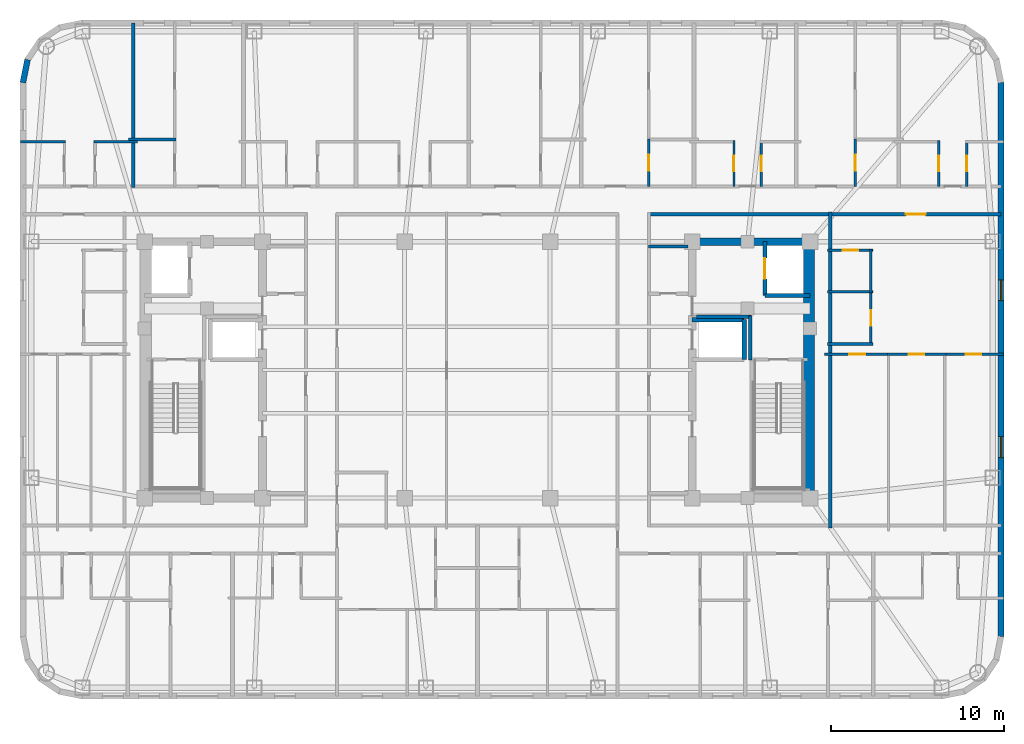
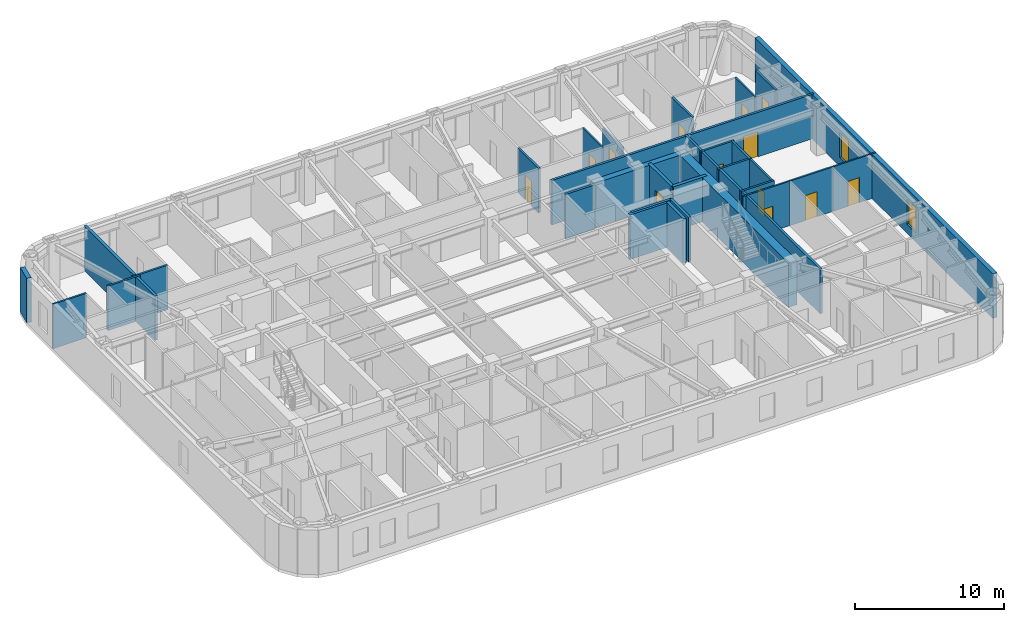
# One storey, part 7 of 11: 31 walls, 13 doors, 2 windows, 15 openings.
"""IFC4 building model written with IfcOpenShell, lengths in metres."""

from ifc_helpers import new_model, si_unit, direction, frame, frame_2d, origin, place, context, subcontext, project, spatial, rectangle, extrude, material, layer, layer_set, type_object, element, fill, save


model = new_model("IFC4")

# Units and contexts
model_context = context("Model", 3, precision=1e-05, world=origin(), true_north=direction((0.0, 1.0)))
body_context = subcontext(model_context, "Body", "Model", "MODEL_VIEW")
ifc_project = project(units=[si_unit("LENGTHUNIT", "METRE"), si_unit("AREAUNIT", "SQUARE_METRE"), si_unit("VOLUMEUNIT", "CUBIC_METRE"), si_unit("PLANEANGLEUNIT", "RADIAN"), si_unit("MASSUNIT", "GRAM", prefix="KILO")], contexts=[model_context])

# Site, building, storey
site_placement = place(None, origin())
site = spatial("IfcSite", under=ifc_project, at=site_placement, CompositionType="ELEMENT")
building_placement = place(site_placement, origin())
building = spatial("IfcBuilding", under=site, at=building_placement, Name="Voryun Gate Residences", CompositionType="ELEMENT")
storey_placement = place(building_placement, frame((0.0, 0.0, 247.0)))
storey = spatial("IfcBuildingStorey", under=building, at=storey_placement, Name="L61", CompositionType="ELEMENT", Elevation=247.0)

# Walls
ifc_material_1 = material(Name="Concrete C50/60", Category="concrete")
ifc_layer_1 = layer(ifc_material_1, 0.449951171875, Name="CW_CORE_450")
ifc_layer_set_1 = layer_set([ifc_layer_1], Name="Concrete C50/60")
wall_type_1 = type_object("IfcWallType", Name="CW_CORE_450", PredefinedType="SHEAR", material=ifc_layer_set_1)
wall_1_placement = place(storey_placement, frame((12.175048828125, 7.39990234375, 0.0), z_axis=(0.0, 0.0, 1.0), x_axis=(1.0, 0.0, 0.0)))
element("IfcWall", 1, at=wall_1_placement, inside=storey, type_object=wall_type_1, Name="L61 Core shear wall CW-L61-EN", PredefinedType="SHEAR", context=body_context, shape_type="SweptSolid", body=[
    extrude(rectangle(XDim=7.25, YDim=0.449951171875, at=frame_2d((3.625, 0.0))), origin(), (0.0, 0.0, 1.0), 3.64990234375),
])
ifc_material_2 = material(Name="Concrete C60/75", Category="concrete")
ifc_layer_2 = layer(ifc_material_2, 0.64990234375, Name="CW_CORE_650")
ifc_layer_set_2 = layer_set([ifc_layer_2], Name="Concrete C60/75")
wall_type_2 = type_object("IfcWallType", Name="CW_CORE_650", PredefinedType="SHEAR", material=ifc_layer_set_2)
wall_2_placement = place(storey_placement, frame((19.14501953125, -7.39990234375, 0.0), z_axis=(0.0, 0.0, 1.0), x_axis=(0.0, 1.0, 0.0)))
element("IfcWall", 2, at=wall_2_placement, inside=storey, type_object=wall_type_2, Name="L61 Core shear wall CW-L61-EE", PredefinedType="SHEAR", context=body_context, shape_type="SweptSolid", body=[
    extrude(rectangle(XDim=14.7998046875, YDim=0.64990234375, at=frame_2d((7.39990234375, 0.0))), origin(), (0.0, 0.0, 1.0), 3.64990234375),
])
ifc_material_3 = material(Name="Gypsum acoustic fireboard")
ifc_layer_3 = layer(ifc_material_3, 0.179931640625, Name="W_CORR_RATED_180")
ifc_layer_set_3 = layer_set([ifc_layer_3], Name="Gypsum acoustic fireboard")
wall_type_3 = type_object("IfcWallType", Name="W_CORR_RATED_180", PredefinedType="PARTITIONING", material=ifc_layer_set_3)
wall_3_placement = place(storey_placement, frame((9.8798828125, 7.1201171875, 0.0), z_axis=(0.0, 0.0, 1.0), x_axis=(1.0, 0.0, 0.0)))
element("IfcWall", 3, at=wall_3_placement, inside=storey, type_object=wall_type_3, Name="Partition wall WP-L61-PLBN-E", PredefinedType="PARTITIONING", context=body_context, shape_type="SweptSolid", body=[
    extrude(rectangle(XDim=2.27001953125, YDim=0.179931640625, at=frame_2d((1.135009765625, 0.0))), origin(), (0.0, 0.0, 1.0), 3.64990234375),
])

# Wall, opening, door
wall_4_placement = place(storey_placement, frame((9.8798828125, 8.989990234375, 0.0), z_axis=(0.0, 0.0, 1.0), x_axis=(1.0, 0.0, 0.0)))
wall_4 = element("IfcWall", 4, at=wall_4_placement, inside=storey, type_object=wall_type_3, Name="Partition wall WP-L61-CWING-EN", PredefinedType="PARTITIONING", context=body_context, shape_type="SweptSolid", body=[
    extrude(rectangle(XDim=20.35009765625, YDim=0.179931640625, at=frame_2d((10.175048828125, 0.0))), origin(), (0.0, 0.0, 1.0), 3.64990234375),
])
opening_1_placement = place(wall_4_placement, frame((14.850341796875, 0.0, 0.0)))
opening_1 = element("IfcOpeningElement", 5, at=opening_1_placement, cuts=wall_4, Name="Opening D-UNIT-1", PredefinedType="OPENING", context=body_context, shape_type="SweptSolid", body=[
    extrude(rectangle(XDim=1.14990234375, YDim=2.050048828125, at=frame_2d((0.574951171875, 1.02490234375))), frame((0.0, 0.099853515625, 0.0), z_axis=(0.0, -1.0, 0.0), x_axis=(1.0, 0.0, 0.0)), (0.0, 0.0, 1.0), 0.199951171875),
])
ifc_material_4 = material(Name="Armoured timber-clad fire door", Category="wood")
door_type_1 = type_object("IfcDoorType", Name="DR_UNIT_ENTRY_1150", OperationType="NOTDEFINED", PredefinedType="DOOR", material=ifc_material_4)
door_1_placement = place(opening_1_placement, origin())
door_1 = element("IfcDoor", 6, at=door_1_placement, inside=storey, type_object=door_type_1, Name="Door DR-L61-EE1N", OperationType="SINGLE_SWING_LEFT", OverallHeight=2.050048828125, OverallWidth=1.14990234375, PredefinedType="DOOR", context=body_context, shape_type="SweptSolid", body=[
    extrude(rectangle(XDim=1.14990234375, YDim=2.050048828125, at=frame_2d((0.574951171875, 1.02490234375))), frame((0.0, 0.02490234375, 0.0), z_axis=(0.0, -1.0, 0.0), x_axis=(1.0, 0.0, 0.0)), (0.0, 0.0, 1.0), 0.050048828125),
])
fill(opening_1, door_1)

# Walls
wall_5_placement = place(storey_placement, frame((20.3701171875, -9.110107421875, 0.0), z_axis=(0.0, 0.0, 1.0), x_axis=(0.0, 1.0, 0.0)))
element("IfcWall", 7, at=wall_5_placement, inside=storey, type_object=wall_type_3, Name="Partition wall WP-L61-ECOR", PredefinedType="PARTITIONING", context=body_context, shape_type="SweptSolid", body=[
    extrude(rectangle(XDim=18.22021484375, YDim=0.179931640625, at=frame_2d((9.110107421875, 0.0))), origin(), (0.0, 0.0, 1.0), 3.64990234375),
])
ifc_material_5 = material(Name="Charcoal terracotta masonry", Category="masonry")
ifc_layer_4 = layer(ifc_material_5, 0.340087890625, Name="W_EXT_TERRACOTTA_340")
ifc_layer_set_4 = layer_set([ifc_layer_4], Name="Charcoal terracotta masonry")
wall_type_4 = type_object("IfcWallType", Name="W_EXT_TERRACOTTA_340", PredefinedType="ELEMENTEDWALL", material=ifc_layer_set_4)
wall_6_placement = place(storey_placement, frame((-26.22998046875, 16.583251953125, 0.0), z_axis=(0.0, 0.0, 1.0), x_axis=(0.195075878998, 0.980788153188, 0.0)))
element("IfcWall", 8, at=wall_6_placement, inside=storey, type_object=wall_type_4, Name="Exterior wall WEXT-L61-07", PredefinedType="ELEMENTEDWALL", context=body_context, shape_type="SweptSolid", body=[
    extrude(rectangle(XDim=1.354248046875, YDim=0.340087890625, at=frame_2d((0.67724609375, 0.0))), origin(), (0.0, 0.0, 1.0), 3.64990234375),
])

# Wall, openings, windows
wall_7_placement = place(storey_placement, frame((30.22998046875, 16.583251953125, 0.0), z_axis=(0.0, 0.0, 1.0), x_axis=(0.0, -1.0, 0.0)))
wall_7 = element("IfcWall", 9, at=wall_7_placement, inside=storey, type_object=wall_type_4, Name="Exterior wall WEXT-L61-16", PredefinedType="ELEMENTEDWALL", context=body_context, shape_type="SweptSolid", body=[
    extrude(rectangle(XDim=31.966552734375, YDim=0.340087890625, at=frame_2d((15.9833984375, 0.0))), origin(), (0.0, 0.0, 1.0), 3.64990234375),
])
opening_2_placement = place(wall_7_placement, frame((11.38818359375, 0.0, 0.75)))
opening_2 = element("IfcOpeningElement", 10, at=opening_2_placement, cuts=wall_7, Name="Opening WN6", PredefinedType="OPENING", context=body_context, shape_type="SweptSolid", body=[
    extrude(rectangle(XDim=1.199951171875, YDim=2.050048828125, at=frame_2d((0.60009765625, 1.02490234375))), frame((0.0, 0.179931640625, 0.0), z_axis=(0.0, -1.0, 0.0), x_axis=(1.0, 0.0, 0.0)), (0.0, 0.0, 1.0), 0.360107421875),
])
opening_3_placement = place(wall_7_placement, frame((20.438232421875, 0.0, 0.75)))
opening_3 = element("IfcOpeningElement", 11, at=opening_3_placement, cuts=wall_7, Name="Opening WN6", PredefinedType="OPENING", context=body_context, shape_type="SweptSolid", body=[
    extrude(rectangle(XDim=1.199951171875, YDim=2.050048828125, at=frame_2d((0.60009765625, 1.02490234375))), frame((0.0, 0.179931640625, 0.0), z_axis=(0.0, -1.0, 0.0), x_axis=(1.0, 0.0, 0.0)), (0.0, 0.0, 1.0), 0.360107421875),
])
ifc_material_6 = material(Name="Laminated low-E glass", Category="glass")
window_type = type_object("IfcWindowType", Name="WN_POD_SLOT_1200", PartitioningType="SINGLE_PANEL", PredefinedType="WINDOW", material=ifc_material_6)
window_1_placement = place(opening_2_placement, origin())
window_1 = element("IfcWindow", 12, at=window_1_placement, inside=storey, type_object=window_type, Name="Window WN-L61-DWFIX-24", OverallHeight=2.050048828125, OverallWidth=1.199951171875, PartitioningType="SINGLE_PANEL", PredefinedType="WINDOW", context=body_context, shape_type="SweptSolid", body=[
    extrude(rectangle(XDim=1.199951171875, YDim=2.050048828125, at=frame_2d((0.60009765625, 1.02490234375))), frame((0.0, 0.030029296875, 0.0), z_axis=(0.0, -1.0, 0.0), x_axis=(1.0, 0.0, 0.0)), (0.0, 0.0, 1.0), 0.06005859375),
])
fill(opening_2, window_1)
window_2_placement = place(opening_3_placement, origin())
window_2 = element("IfcWindow", 13, at=window_2_placement, inside=storey, type_object=window_type, Name="Window WN-L61-DWFIX-25", OverallHeight=2.050048828125, OverallWidth=1.199951171875, PartitioningType="SINGLE_PANEL", PredefinedType="WINDOW", context=body_context, shape_type="SweptSolid", body=[
    extrude(rectangle(XDim=1.199951171875, YDim=2.050048828125, at=frame_2d((0.60009765625, 1.02490234375))), frame((0.0, 0.030029296875, 0.0), z_axis=(0.0, -1.0, 0.0), x_axis=(1.0, 0.0, 0.0)), (0.0, 0.0, 1.0), 0.06005859375),
])
fill(opening_3, window_2)

# Walls
ifc_material_7 = material(Name="Concrete C40/50", Category="concrete")
ifc_layer_5 = layer(ifc_material_7, 0.199951171875, Name="W_FF_LOBBY_200")
ifc_layer_set_5 = layer_set([ifc_layer_5], Name="Concrete C40/50")
wall_type_5 = type_object("IfcWallType", Name="W_FF_LOBBY_200", PredefinedType="PARTITIONING", material=ifc_layer_set_5)
wall_8_placement = place(storey_placement, frame((15.760009765625, 0.580078125, 0.0), z_axis=(0.0, 0.0, 1.0), x_axis=(0.0, 1.0, 0.0)))
element("IfcWall", 14, at=wall_8_placement, inside=storey, type_object=wall_type_5, Name="Partition wall WP-L61-FFP0-E", PredefinedType="PARTITIONING", context=body_context, shape_type="SweptSolid", body=[
    extrude(rectangle(XDim=2.52001953125, YDim=0.199951171875, at=frame_2d((1.260009765625, 0.0))), origin(), (0.0, 0.0, 1.0), 3.64990234375),
])
wall_9_placement = place(storey_placement, frame((12.659912109375, 3.06005859375, 0.0), z_axis=(0.0, 0.0, 1.0), x_axis=(1.0, 0.0, 0.0)))
element("IfcWall", 15, at=wall_9_placement, inside=storey, type_object=wall_type_5, Name="Partition wall WP-L61-FFPS-E", PredefinedType="PARTITIONING", context=body_context, shape_type="SweptSolid", body=[
    extrude(rectangle(XDim=3.16015625, YDim=0.199951171875, at=frame_2d((1.580078125, 0.0))), origin(), (0.0, 0.0, 1.0), 3.64990234375),
])
ifc_material_8 = material(Name="Concrete C40/50", Category="concrete")
ifc_layer_6 = layer(ifc_material_8, 0.219970703125, Name="W_PARTY_ACOUSTIC_220")
ifc_layer_set_6 = layer_set([ifc_layer_6], Name="Concrete C40/50")
wall_type_6 = type_object("IfcWallType", Name="W_PARTY_ACOUSTIC_220", PredefinedType="PARTITIONING", material=ifc_layer_set_6)
wall_10_placement = place(storey_placement, frame((-19.867919921875, 10.52001953125, 0.0), z_axis=(0.0, 0.0, 1.0), x_axis=(0.0, 1.0, 0.0)))
element("IfcWall", 16, at=wall_10_placement, inside=storey, type_object=wall_type_6, Name="Partition wall WP-L61-NPTY-1", PredefinedType="PARTITIONING", context=body_context, shape_type="SweptSolid", body=[
    extrude(rectangle(XDim=9.510009765625, YDim=0.219970703125, at=frame_2d((4.7548828125, 0.0))), origin(), (0.0, 0.0, 1.0), 3.64990234375),
])
ifc_material_9 = material(Name="Concrete C50/60", Category="concrete")
ifc_layer_7 = layer(ifc_material_9, 0.25, Name="W_SHAFT_RC250")
ifc_layer_set_7 = layer_set([ifc_layer_7], Name="Concrete C50/60")
wall_type_7 = type_object("IfcWallType", Name="W_SHAFT_RC250", PredefinedType="SOLIDWALL", material=ifc_layer_set_7)
wall_11_placement = place(storey_placement, frame((16.60009765625, 4.300048828125, 0.0), z_axis=(0.0, 0.0, 1.0), x_axis=(1.0, 0.0, 0.0)))
element("IfcWall", 17, at=wall_11_placement, inside=storey, type_object=wall_type_7, Name="Lift shaft wall WSH-L61-EL-FF-E1-S", PredefinedType="SOLIDWALL", context=body_context, shape_type="SweptSolid", body=[
    extrude(rectangle(XDim=2.599853515625, YDim=0.25, at=frame_2d((1.2998046875, 0.0))), origin(), (0.0, 0.0, 1.0), 3.64990234375),
])

# Wall, opening, door
wall_12_placement = place(storey_placement, frame((16.60009765625, 7.39990234375, 0.0), z_axis=(0.0, 0.0, 1.0), x_axis=(0.0, -1.0, 0.0)))
wall_12 = element("IfcWall", 18, at=wall_12_placement, inside=storey, type_object=wall_type_7, Name="Lift shaft wall WSH-L61-EL-FF-E1-W", PredefinedType="SOLIDWALL", context=body_context, shape_type="SweptSolid", body=[
    extrude(rectangle(XDim=3.099853515625, YDim=0.25, at=frame_2d((1.5498046875, 0.0))), origin(), (0.0, 0.0, 1.0), 3.64990234375),
])
opening_4_placement = place(wall_12_placement, frame((0.949951171875, 0.0, 0.0)))
opening_4 = element("IfcOpeningElement", 19, at=opening_4_placement, cuts=wall_12, Name="Opening LD1", PredefinedType="OPENING", context=body_context, shape_type="SweptSolid", body=[
    extrude(rectangle(XDim=1.199951171875, YDim=2.050048828125, at=frame_2d((0.60009765625, 1.02490234375))), frame((0.0, 0.135009765625, 0.0), z_axis=(0.0, -1.0, 0.0), x_axis=(1.0, 0.0, 0.0)), (0.0, 0.0, 1.0), 0.27001953125),
])
ifc_material_10 = material(Name="Anodised aluminium", Category="aluminium")
door_type_2 = type_object("IfcDoorType", Name="DR_LD_FF_1200", OperationType="NOTDEFINED", PredefinedType="DOOR", material=ifc_material_10)
door_2_placement = place(opening_4_placement, origin())
door_2 = element("IfcDoor", 20, at=door_2_placement, inside=storey, type_object=door_type_2, Name="Lift EL-FF-E1 sliding landing door L61", OperationType="SLIDING_TO_LEFT", OverallHeight=2.050048828125, OverallWidth=1.199951171875, PredefinedType="DOOR", context=body_context, shape_type="SweptSolid", body=[
    extrude(rectangle(XDim=1.199951171875, YDim=2.050048828125, at=frame_2d((0.60009765625, 1.02490234375))), frame((0.0, 0.02490234375, 0.0), z_axis=(0.0, -1.0, 0.0), x_axis=(1.0, 0.0, 0.0)), (0.0, 0.0, 1.0), 0.050048828125),
])
fill(opening_4, door_2)

# Walls
wall_13_placement = place(storey_placement, frame((15.39990234375, 0.60009765625, 0.0), z_axis=(0.0, 0.0, 1.0), x_axis=(0.0, 1.0, 0.0)))
element("IfcWall", 21, at=wall_13_placement, inside=storey, type_object=wall_type_7, Name="Lift shaft wall WSH-L61-EL-P8-E", PredefinedType="SOLIDWALL", context=body_context, shape_type="SweptSolid", body=[
    extrude(rectangle(XDim=2.2998046875, YDim=0.25, at=frame_2d((1.14990234375, 0.0))), origin(), (0.0, 0.0, 1.0), 3.64990234375),
])
wall_14_placement = place(storey_placement, frame((15.39990234375, 2.89990234375, 0.0), z_axis=(0.0, 0.0, 1.0), x_axis=(-1.0, 0.0, 0.0)))
element("IfcWall", 22, at=wall_14_placement, inside=storey, type_object=wall_type_7, Name="Lift shaft wall WSH-L61-EL-P8-N", PredefinedType="SOLIDWALL", context=body_context, shape_type="SweptSolid", body=[
    extrude(rectangle(XDim=3.0, YDim=0.25, at=frame_2d((1.5, 0.0))), origin(), (0.0, 0.0, 1.0), 3.64990234375),
])
ifc_material_11 = material(Name="Gypsum acoustic partition")
ifc_layer_8 = layer(ifc_material_11, 0.125, Name="W_UNIT_PART_125")
ifc_layer_set_8 = layer_set([ifc_layer_8], Name="Gypsum acoustic partition")
wall_type_8 = type_object("IfcWallType", Name="W_UNIT_PART_125", PredefinedType="PARTITIONING", material=ifc_layer_set_8)
wall_15_placement = place(storey_placement, frame((-26.3798828125, 13.169921875, 0.0), z_axis=(0.0, 0.0, 1.0), x_axis=(1.0, 0.0, 0.0)))
element("IfcWall", 23, at=wall_15_placement, inside=storey, type_object=wall_type_8, Name="Partition wall WP-L61-N1-CHK", PredefinedType="PARTITIONING", context=body_context, shape_type="SweptSolid", body=[
    extrude(rectangle(XDim=2.600830078125, YDim=0.125, at=frame_2d((1.30029296875, 0.0))), origin(), (0.0, 0.0, 1.0), 3.64990234375),
])

# Wall, opening, door
wall_16_placement = place(storey_placement, frame((14.81005859375, 10.580078125, 0.0), z_axis=(0.0, 0.0, 1.0), x_axis=(0.0, 1.0, 0.0)))
wall_16 = element("IfcWall", 24, at=wall_16_placement, inside=storey, type_object=wall_type_8, Name="Partition wall WP-L61-N7-CVK", PredefinedType="PARTITIONING", context=body_context, shape_type="SweptSolid", body=[
    extrude(rectangle(XDim=2.64990234375, YDim=0.125, at=frame_2d((1.324951171875, 0.0))), origin(), (0.0, 0.0, 1.0), 3.64990234375),
])
opening_5_placement = place(wall_16_placement, frame((0.875, 0.0, 0.0)))
opening_5 = element("IfcOpeningElement", 25, at=opening_5_placement, cuts=wall_16, Name="Opening D-INT-2", PredefinedType="OPENING", context=body_context, shape_type="SweptSolid", body=[
    extrude(rectangle(XDim=0.89990234375, YDim=2.050048828125, at=frame_2d((0.449951171875, 1.02490234375))), frame((0.0, 0.072509765625, 0.0), z_axis=(0.0, -1.0, 0.0), x_axis=(1.0, 0.0, 0.0)), (0.0, 0.0, 1.0), 0.14501953125),
])
ifc_material_12 = material(Name="Architectural oak veneer")
door_type_3 = type_object("IfcDoorType", Name="DR_INT_BATH_900", OperationType="NOTDEFINED", PredefinedType="DOOR", material=ifc_material_12)
door_3_placement = place(opening_5_placement, origin())
door_3 = element("IfcDoor", 26, at=door_3_placement, inside=storey, type_object=door_type_3, Name="Door DR-L61-N7-DK", OperationType="SINGLE_SWING_LEFT", OverallHeight=2.050048828125, OverallWidth=0.89990234375, PredefinedType="DOOR", context=body_context, shape_type="SweptSolid", body=[
    extrude(rectangle(XDim=0.89990234375, YDim=2.050048828125, at=frame_2d((0.449951171875, 1.02490234375))), frame((0.0, 0.02490234375, 0.0), z_axis=(0.0, -1.0, 0.0), x_axis=(1.0, 0.0, 0.0)), (0.0, 0.0, 1.0), 0.050048828125),
])
fill(opening_5, door_3)

wall_17_placement = place(storey_placement, frame((26.635009765625, 10.580078125, 0.0), z_axis=(0.0, 0.0, 1.0), x_axis=(0.0, 1.0, 0.0)))
wall_17 = element("IfcWall", 27, at=wall_17_placement, inside=storey, type_object=wall_type_8, Name="Partition wall WP-L61-N9-CVK", PredefinedType="PARTITIONING", context=body_context, shape_type="SweptSolid", body=[
    extrude(rectangle(XDim=2.64990234375, YDim=0.125, at=frame_2d((1.324951171875, 0.0))), origin(), (0.0, 0.0, 1.0), 3.64990234375),
])
opening_6_placement = place(wall_17_placement, frame((0.875, 0.0, 0.0)))
opening_6 = element("IfcOpeningElement", 28, at=opening_6_placement, cuts=wall_17, Name="Opening D-INT-2", PredefinedType="OPENING", context=body_context, shape_type="SweptSolid", body=[
    extrude(rectangle(XDim=0.89990234375, YDim=2.050048828125, at=frame_2d((0.449951171875, 1.02490234375))), frame((0.0, 0.072509765625, 0.0), z_axis=(0.0, -1.0, 0.0), x_axis=(1.0, 0.0, 0.0)), (0.0, 0.0, 1.0), 0.14501953125),
])
door_4_placement = place(opening_6_placement, origin())
door_4 = element("IfcDoor", 29, at=door_4_placement, inside=storey, type_object=door_type_3, Name="Door DR-L61-N9-DK", OperationType="SINGLE_SWING_LEFT", OverallHeight=2.050048828125, OverallWidth=0.89990234375, PredefinedType="DOOR", context=body_context, shape_type="SweptSolid", body=[
    extrude(rectangle(XDim=0.89990234375, YDim=2.050048828125, at=frame_2d((0.449951171875, 1.02490234375))), frame((0.0, 0.02490234375, 0.0), z_axis=(0.0, -1.0, 0.0), x_axis=(1.0, 0.0, 0.0)), (0.0, 0.0, 1.0), 0.050048828125),
])
fill(opening_6, door_4)

wall_18_placement = place(storey_placement, frame((20.050048828125, 0.909912109375, 0.0), z_axis=(0.0, 0.0, 1.0), x_axis=(1.0, 0.0, 0.0)))
wall_18 = element("IfcWall", 30, at=wall_18_placement, inside=storey, type_object=wall_type_8, Name="Partition wall WP-L61-E1-HZMB1", PredefinedType="PARTITIONING", context=body_context, shape_type="SweptSolid", body=[
    extrude(rectangle(XDim=3.737548828125, YDim=0.125, at=frame_2d((1.86865234375, 0.0))), origin(), (0.0, 0.0, 1.0), 3.64990234375),
])
opening_7_placement = place(wall_18_placement, frame((1.427490234375, 0.0, 0.0)))
opening_7 = element("IfcOpeningElement", 31, at=opening_7_placement, cuts=wall_18, Name="Opening D-INT-2", PredefinedType="OPENING", context=body_context, shape_type="SweptSolid", body=[
    extrude(rectangle(XDim=0.89990234375, YDim=2.050048828125, at=frame_2d((0.449951171875, 1.02490234375))), frame((0.0, 0.072509765625, 0.0), z_axis=(0.0, -1.0, 0.0), x_axis=(1.0, 0.0, 0.0)), (0.0, 0.0, 1.0), 0.14501953125),
])
door_5_placement = place(opening_7_placement, origin())
door_5 = element("IfcDoor", 32, at=door_5_placement, inside=storey, type_object=door_type_3, Name="Door DR-L61-E1-DMB", OperationType="SINGLE_SWING_LEFT", OverallHeight=2.050048828125, OverallWidth=0.89990234375, PredefinedType="DOOR", context=body_context, shape_type="SweptSolid", body=[
    extrude(rectangle(XDim=0.89990234375, YDim=2.050048828125, at=frame_2d((0.449951171875, 1.02490234375))), frame((0.0, 0.02490234375, 0.0), z_axis=(0.0, -1.0, 0.0), x_axis=(1.0, 0.0, 0.0)), (0.0, 0.0, 1.0), 0.050048828125),
])
fill(opening_7, door_5)

wall_19_placement = place(storey_placement, frame((23.66259765625, 0.909912109375, 0.0), z_axis=(0.0, 0.0, 1.0), x_axis=(1.0, 0.0, 0.0)))
wall_19 = element("IfcWall", 33, at=wall_19_placement, inside=storey, type_object=wall_type_8, Name="Partition wall WP-L61-E1-HZMB2", PredefinedType="PARTITIONING", context=body_context, shape_type="SweptSolid", body=[
    extrude(rectangle(XDim=3.380859375, YDim=0.125, at=frame_2d((1.6904296875, 0.0))), origin(), (0.0, 0.0, 1.0), 3.64990234375),
])
opening_8_placement = place(wall_19_placement, frame((1.240478515625, 0.0, 0.0)))
opening_8 = element("IfcOpeningElement", 34, at=opening_8_placement, cuts=wall_19, Name="Opening D-INT-2", PredefinedType="OPENING", context=body_context, shape_type="SweptSolid", body=[
    extrude(rectangle(XDim=0.89990234375, YDim=2.050048828125, at=frame_2d((0.449951171875, 1.02490234375))), frame((0.0, 0.072509765625, 0.0), z_axis=(0.0, -1.0, 0.0), x_axis=(1.0, 0.0, 0.0)), (0.0, 0.0, 1.0), 0.14501953125),
])
door_6_placement = place(opening_8_placement, origin())
door_6 = element("IfcDoor", 35, at=door_6_placement, inside=storey, type_object=door_type_3, Name="Door DR-L61-E1-DBD2", OperationType="SINGLE_SWING_RIGHT", OverallHeight=2.050048828125, OverallWidth=0.89990234375, PredefinedType="DOOR", context=body_context, shape_type="SweptSolid", body=[
    extrude(rectangle(XDim=0.89990234375, YDim=2.050048828125, at=frame_2d((0.449951171875, 1.02490234375))), frame((0.0, 0.02490234375, 0.0), z_axis=(0.0, -1.0, 0.0), x_axis=(1.0, 0.0, 0.0)), (0.0, 0.0, 1.0), 0.050048828125),
])
fill(opening_8, door_6)

wall_20_placement = place(storey_placement, frame((26.91845703125, 0.909912109375, 0.0), z_axis=(0.0, 0.0, 1.0), x_axis=(1.0, 0.0, 0.0)))
wall_20 = element("IfcWall", 36, at=wall_20_placement, inside=storey, type_object=wall_type_8, Name="Partition wall WP-L61-E1-HZMB3", PredefinedType="PARTITIONING", context=body_context, shape_type="SweptSolid", body=[
    extrude(rectangle(XDim=3.46142578125, YDim=0.125, at=frame_2d((1.730712890625, 0.0))), origin(), (0.0, 0.0, 1.0), 3.64990234375),
])
opening_9_placement = place(wall_20_placement, frame((1.27197265625, 0.0, 0.0)))
opening_9 = element("IfcOpeningElement", 37, at=opening_9_placement, cuts=wall_20, Name="Opening D-INT-2", PredefinedType="OPENING", context=body_context, shape_type="SweptSolid", body=[
    extrude(rectangle(XDim=0.89990234375, YDim=2.050048828125, at=frame_2d((0.449951171875, 1.02490234375))), frame((0.0, 0.072509765625, 0.0), z_axis=(0.0, -1.0, 0.0), x_axis=(1.0, 0.0, 0.0)), (0.0, 0.0, 1.0), 0.14501953125),
])
door_7_placement = place(opening_9_placement, origin())
door_7 = element("IfcDoor", 38, at=door_7_placement, inside=storey, type_object=door_type_3, Name="Door DR-L61-E1-DBD3", OperationType="SINGLE_SWING_LEFT", OverallHeight=2.050048828125, OverallWidth=0.89990234375, PredefinedType="DOOR", context=body_context, shape_type="SweptSolid", body=[
    extrude(rectangle(XDim=0.89990234375, YDim=2.050048828125, at=frame_2d((0.449951171875, 1.02490234375))), frame((0.0, 0.02490234375, 0.0), z_axis=(0.0, -1.0, 0.0), x_axis=(1.0, 0.0, 0.0)), (0.0, 0.0, 1.0), 0.050048828125),
])
fill(opening_9, door_7)

# Walls
ifc_material_13 = material(Name="Gypsum moisture-resistant partition")
ifc_layer_9 = layer(ifc_material_13, 0.14990234375, Name="W_WET_PLUMB_150")
ifc_layer_set_9 = layer_set([ifc_layer_9], Name="Gypsum moisture-resistant partition")
wall_type_9 = type_object("IfcWallType", Name="W_WET_PLUMB_150", PredefinedType="PLUMBINGWALL", material=ifc_layer_set_9)
wall_21_placement = place(storey_placement, frame((-22.133056640625, 13.169921875, 0.0), z_axis=(0.0, 0.0, 1.0), x_axis=(1.0, 0.0, 0.0)))
element("IfcWall", 39, at=wall_21_placement, inside=storey, type_object=wall_type_9, Name="Partition wall WP-L61-N1-CHB", PredefinedType="PLUMBINGWALL", context=body_context, shape_type="SweptSolid", body=[
    extrude(rectangle(XDim=2.525146484375, YDim=0.14990234375, at=frame_2d((1.2626953125, 0.0))), origin(), (0.0, 0.0, 1.0), 3.64990234375),
])
wall_22_placement = place(storey_placement, frame((-20.1279296875, 13.300048828125, 0.0), z_axis=(0.0, 0.0, 1.0), x_axis=(1.0, 0.0, 0.0)))
element("IfcWall", 40, at=wall_22_placement, inside=storey, type_object=wall_type_9, Name="Partition wall WP-L61-N2-SKB", PredefinedType="PLUMBINGWALL", context=body_context, shape_type="SweptSolid", body=[
    extrude(rectangle(XDim=2.73095703125, YDim=0.14990234375, at=frame_2d((1.365478515625, 0.0))), origin(), (0.0, 0.0, 1.0), 3.64990234375),
])

# Wall, opening, door
wall_23_placement = place(storey_placement, frame((9.889892578125, 10.580078125, 0.0), z_axis=(0.0, 0.0, 1.0), x_axis=(0.0, 1.0, 0.0)))
wall_23 = element("IfcWall", 41, at=wall_23_placement, inside=storey, type_object=wall_type_9, Name="Partition wall WP-L61-N6-SVT1", PredefinedType="PLUMBINGWALL", context=body_context, shape_type="SweptSolid", body=[
    extrude(rectangle(XDim=2.760009765625, YDim=0.14990234375, at=frame_2d((1.3798828125, 0.0))), origin(), (0.0, 0.0, 1.0), 3.64990234375),
])
opening_10_placement = place(wall_23_placement, frame((0.929931640625, 0.0, 0.0)))
opening_10 = element("IfcOpeningElement", 42, at=opening_10_placement, cuts=wall_23, Name="Opening D-INT-2", PredefinedType="OPENING", context=body_context, shape_type="SweptSolid", body=[
    extrude(rectangle(XDim=0.89990234375, YDim=2.050048828125, at=frame_2d((0.449951171875, 1.02490234375))), frame((0.0, 0.0849609375, 0.0), z_axis=(0.0, -1.0, 0.0), x_axis=(1.0, 0.0, 0.0)), (0.0, 0.0, 1.0), 0.169921875),
])
door_8_placement = place(opening_10_placement, origin())
door_8 = element("IfcDoor", 43, at=door_8_placement, inside=storey, type_object=door_type_3, Name="Door DR-L61-N6-DB", OperationType="SINGLE_SWING_LEFT", OverallHeight=2.050048828125, OverallWidth=0.89990234375, PredefinedType="DOOR", context=body_context, shape_type="SweptSolid", body=[
    extrude(rectangle(XDim=0.89990234375, YDim=2.050048828125, at=frame_2d((0.449951171875, 1.02490234375))), frame((0.0, 0.02490234375, 0.0), z_axis=(0.0, -1.0, 0.0), x_axis=(1.0, 0.0, 0.0)), (0.0, 0.0, 1.0), 0.050048828125),
])
fill(opening_10, door_8)

wall_24_placement = place(storey_placement, frame((16.383056640625, 10.580078125, 0.0), z_axis=(0.0, 0.0, 1.0), x_axis=(0.0, 1.0, 0.0)))
wall_24 = element("IfcWall", 44, at=wall_24_placement, inside=storey, type_object=wall_type_9, Name="Partition wall WP-L61-N7-CVB", PredefinedType="PLUMBINGWALL", context=body_context, shape_type="SweptSolid", body=[
    extrude(rectangle(XDim=2.64990234375, YDim=0.14990234375, at=frame_2d((1.324951171875, 0.0))), origin(), (0.0, 0.0, 1.0), 3.090087890625),
])
opening_11_placement = place(wall_24_placement, frame((0.875, 0.0, 0.0)))
opening_11 = element("IfcOpeningElement", 45, at=opening_11_placement, cuts=wall_24, Name="Opening D-INT-2", PredefinedType="OPENING", context=body_context, shape_type="SweptSolid", body=[
    extrude(rectangle(XDim=0.89990234375, YDim=2.050048828125, at=frame_2d((0.449951171875, 1.02490234375))), frame((0.0, 0.0849609375, 0.0), z_axis=(0.0, -1.0, 0.0), x_axis=(1.0, 0.0, 0.0)), (0.0, 0.0, 1.0), 0.169921875),
])
door_9_placement = place(opening_11_placement, origin())
door_9 = element("IfcDoor", 46, at=door_9_placement, inside=storey, type_object=door_type_3, Name="Door DR-L61-N7-DB", OperationType="SINGLE_SWING_RIGHT", OverallHeight=2.050048828125, OverallWidth=0.89990234375, PredefinedType="DOOR", context=body_context, shape_type="SweptSolid", body=[
    extrude(rectangle(XDim=0.89990234375, YDim=2.050048828125, at=frame_2d((0.449951171875, 1.02490234375))), frame((0.0, 0.02490234375, 0.0), z_axis=(0.0, -1.0, 0.0), x_axis=(1.0, 0.0, 0.0)), (0.0, 0.0, 1.0), 0.050048828125),
])
fill(opening_11, door_9)

wall_25_placement = place(storey_placement, frame((21.80908203125, 10.580078125, 0.0), z_axis=(0.0, 0.0, 1.0), x_axis=(0.0, 1.0, 0.0)))
wall_25 = element("IfcWall", 47, at=wall_25_placement, inside=storey, type_object=wall_type_9, Name="Partition wall WP-L61-N8-SVT1", PredefinedType="PLUMBINGWALL", context=body_context, shape_type="SweptSolid", body=[
    extrude(rectangle(XDim=2.760009765625, YDim=0.14990234375, at=frame_2d((1.3798828125, 0.0))), origin(), (0.0, 0.0, 1.0), 3.64990234375),
])
opening_12_placement = place(wall_25_placement, frame((0.929931640625, 0.0, 0.0)))
opening_12 = element("IfcOpeningElement", 48, at=opening_12_placement, cuts=wall_25, Name="Opening D-INT-2", PredefinedType="OPENING", context=body_context, shape_type="SweptSolid", body=[
    extrude(rectangle(XDim=0.89990234375, YDim=2.050048828125, at=frame_2d((0.449951171875, 1.02490234375))), frame((0.0, 0.0849609375, 0.0), z_axis=(0.0, -1.0, 0.0), x_axis=(1.0, 0.0, 0.0)), (0.0, 0.0, 1.0), 0.169921875),
])
door_10_placement = place(opening_12_placement, origin())
door_10 = element("IfcDoor", 49, at=door_10_placement, inside=storey, type_object=door_type_3, Name="Door DR-L61-N8-DB", OperationType="SINGLE_SWING_LEFT", OverallHeight=2.050048828125, OverallWidth=0.89990234375, PredefinedType="DOOR", context=body_context, shape_type="SweptSolid", body=[
    extrude(rectangle(XDim=0.89990234375, YDim=2.050048828125, at=frame_2d((0.449951171875, 1.02490234375))), frame((0.0, 0.02490234375, 0.0), z_axis=(0.0, -1.0, 0.0), x_axis=(1.0, 0.0, 0.0)), (0.0, 0.0, 1.0), 0.050048828125),
])
fill(opening_12, door_10)

wall_26_placement = place(storey_placement, frame((28.2470703125, 10.580078125, 0.0), z_axis=(0.0, 0.0, 1.0), x_axis=(0.0, 1.0, 0.0)))
wall_26 = element("IfcWall", 50, at=wall_26_placement, inside=storey, type_object=wall_type_9, Name="Partition wall WP-L61-N9-CVB", PredefinedType="PLUMBINGWALL", context=body_context, shape_type="SweptSolid", body=[
    extrude(rectangle(XDim=2.64990234375, YDim=0.14990234375, at=frame_2d((1.324951171875, 0.0))), origin(), (0.0, 0.0, 1.0), 3.64990234375),
])
opening_13_placement = place(wall_26_placement, frame((0.875, 0.0, 0.0)))
opening_13 = element("IfcOpeningElement", 51, at=opening_13_placement, cuts=wall_26, Name="Opening D-INT-2", PredefinedType="OPENING", context=body_context, shape_type="SweptSolid", body=[
    extrude(rectangle(XDim=0.89990234375, YDim=2.050048828125, at=frame_2d((0.449951171875, 1.02490234375))), frame((0.0, 0.0849609375, 0.0), z_axis=(0.0, -1.0, 0.0), x_axis=(1.0, 0.0, 0.0)), (0.0, 0.0, 1.0), 0.169921875),
])
door_11_placement = place(opening_13_placement, origin())
door_11 = element("IfcDoor", 52, at=door_11_placement, inside=storey, type_object=door_type_3, Name="Door DR-L61-N9-DB", OperationType="SINGLE_SWING_RIGHT", OverallHeight=2.050048828125, OverallWidth=0.89990234375, PredefinedType="DOOR", context=body_context, shape_type="SweptSolid", body=[
    extrude(rectangle(XDim=0.89990234375, YDim=2.050048828125, at=frame_2d((0.449951171875, 1.02490234375))), frame((0.0, 0.02490234375, 0.0), z_axis=(0.0, -1.0, 0.0), x_axis=(1.0, 0.0, 0.0)), (0.0, 0.0, 1.0), 0.050048828125),
])
fill(opening_13, door_11)

wall_27_placement = place(storey_placement, frame((20.219970703125, 6.89990234375, 0.0), z_axis=(0.0, 0.0, 1.0), x_axis=(1.0, 0.0, 0.0)))
wall_27 = element("IfcWall", 53, at=wall_27_placement, inside=storey, type_object=wall_type_9, Name="Partition wall WP-L61-E1-IBT", PredefinedType="PLUMBINGWALL", context=body_context, shape_type="SweptSolid", body=[
    extrude(rectangle(XDim=2.6201171875, YDim=0.14990234375, at=frame_2d((1.31005859375, 0.0))), origin(), (0.0, 0.0, 1.0), 3.64990234375),
])
opening_14_placement = place(wall_27_placement, frame((0.860107421875, 0.0, 0.0)))
opening_14 = element("IfcOpeningElement", 54, at=opening_14_placement, cuts=wall_27, Name="Opening D-INT-2", PredefinedType="OPENING", context=body_context, shape_type="SweptSolid", body=[
    extrude(rectangle(XDim=0.89990234375, YDim=2.050048828125, at=frame_2d((0.449951171875, 1.02490234375))), frame((0.0, 0.0849609375, 0.0), z_axis=(0.0, -1.0, 0.0), x_axis=(1.0, 0.0, 0.0)), (0.0, 0.0, 1.0), 0.169921875),
])
door_12_placement = place(opening_14_placement, origin())
door_12 = element("IfcDoor", 55, at=door_12_placement, inside=storey, type_object=door_type_3, Name="Door DR-L61-E1-DK", OperationType="SINGLE_SWING_LEFT", OverallHeight=2.050048828125, OverallWidth=0.89990234375, PredefinedType="DOOR", context=body_context, shape_type="SweptSolid", body=[
    extrude(rectangle(XDim=0.89990234375, YDim=2.050048828125, at=frame_2d((0.449951171875, 1.02490234375))), frame((0.0, 0.02490234375, 0.0), z_axis=(0.0, -1.0, 0.0), x_axis=(1.0, 0.0, 0.0)), (0.0, 0.0, 1.0), 0.050048828125),
])
fill(opening_14, door_12)

# Walls
for number, where, z_axis, x_axis, name in (
    (56, (20.219970703125, 4.52001953125, 0.0), (0.0, 0.0, 1.0), (1.0, 0.0, 0.0), "Partition wall WP-L61-E1-IKB"),
    (57, (20.219970703125, 1.5, 0.0), (0.0, 0.0, 1.0), (1.0, 0.0, 0.0), "Partition wall WP-L61-E1-IBB"),
):
    element("IfcWall", number, at=place(storey_placement, frame(where, z_axis=z_axis, x_axis=x_axis)), inside=storey, type_object=wall_type_9, Name=name, PredefinedType="PLUMBINGWALL", context=body_context, shape_type="SweptSolid", body=[
        extrude(rectangle(XDim=2.6201171875, YDim=0.14990234375, at=frame_2d((1.31005859375, 0.0))), origin(), (0.0, 0.0, 1.0), 3.64990234375),
    ])

# Wall, opening, door
wall_28_placement = place(storey_placement, frame((22.719970703125, 1.43994140625, 0.0), z_axis=(0.0, 0.0, 1.0), x_axis=(0.0, 1.0, 0.0)))
wall_28 = element("IfcWall", 58, at=wall_28_placement, inside=storey, type_object=wall_type_9, Name="Partition wall WP-L61-E1-VTSK1", PredefinedType="PLUMBINGWALL", context=body_context, shape_type="SweptSolid", body=[
    extrude(rectangle(XDim=3.1201171875, YDim=0.14990234375, at=frame_2d((1.56005859375, 0.0))), origin(), (0.0, 0.0, 1.0), 3.64990234375),
])
opening_15_placement = place(wall_28_placement, frame((1.110107421875, 0.0, 0.0)))
opening_15 = element("IfcOpeningElement", 59, at=opening_15_placement, cuts=wall_28, Name="Opening D-INT-2", PredefinedType="OPENING", context=body_context, shape_type="SweptSolid", body=[
    extrude(rectangle(XDim=0.89990234375, YDim=2.050048828125, at=frame_2d((0.449951171875, 1.02490234375))), frame((0.0, 0.0849609375, 0.0), z_axis=(0.0, -1.0, 0.0), x_axis=(1.0, 0.0, 0.0)), (0.0, 0.0, 1.0), 0.169921875),
])
door_13_placement = place(opening_15_placement, origin())
door_13 = element("IfcDoor", 60, at=door_13_placement, inside=storey, type_object=door_type_3, Name="Door DR-L61-E1-DB", OperationType="SINGLE_SWING_RIGHT", OverallHeight=2.050048828125, OverallWidth=0.89990234375, PredefinedType="DOOR", context=body_context, shape_type="SweptSolid", body=[
    extrude(rectangle(XDim=0.89990234375, YDim=2.050048828125, at=frame_2d((0.449951171875, 1.02490234375))), frame((0.0, 0.02490234375, 0.0), z_axis=(0.0, -1.0, 0.0), x_axis=(1.0, 0.0, 0.0)), (0.0, 0.0, 1.0), 0.050048828125),
])
fill(opening_15, door_13)

# Wall
wall_29_placement = place(storey_placement, frame((22.719970703125, 4.47998046875, 0.0), z_axis=(0.0, 0.0, 1.0), x_axis=(0.0, 1.0, 0.0)))
element("IfcWall", 61, at=wall_29_placement, inside=storey, type_object=wall_type_9, Name="Partition wall WP-L61-E1-VTSK2", PredefinedType="PLUMBINGWALL", context=body_context, shape_type="SweptSolid", body=[
    extrude(rectangle(XDim=2.47998046875, YDim=0.14990234375, at=frame_2d((1.239990234375, 0.0))), origin(), (0.0, 0.0, 1.0), 3.64990234375),
])

save(model, "model.ifc")
